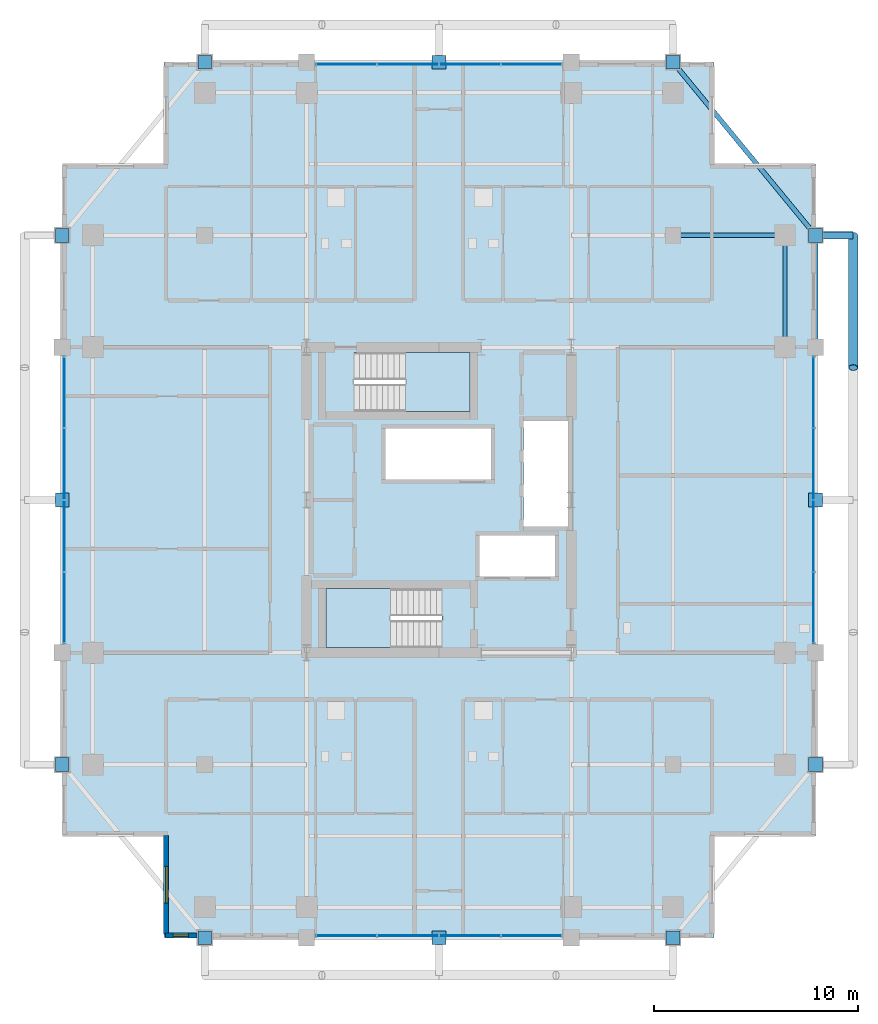
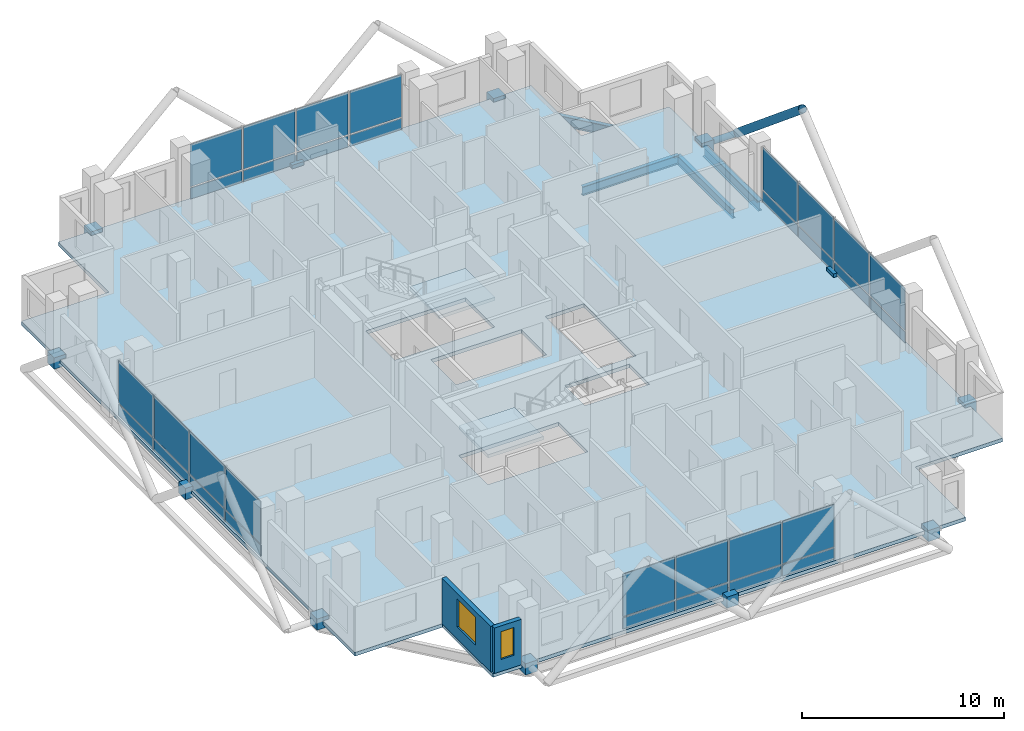
# One storey, part 19 of 26: 44 plates, 4 beams, 3 slabs, 2 members, 2 walls, 2 windows, 2 openings, 6 elements without a shape of their own.
"""IFC4 building model written with IfcOpenShell, lengths in metres."""

from ifc_helpers import new_model, si_unit, direction, frame, frame_2d, origin, origin_2d, place, context, subcontext, project, spatial, polyline, rectangle, hollow_circle, i_section, outline, extrude, material, layer, layer_set, material_profile, profile_set, type_object, element, fill, aggregate, save


model = new_model("IFC4")

# Units and contexts
model_context = context("Model", 3, precision=1e-05, world=origin(), true_north=direction((0.0, 1.0)))
body_context = subcontext(model_context, "Body", "Model", "MODEL_VIEW")
ifc_project = project(units=[si_unit("LENGTHUNIT", "METRE"), si_unit("AREAUNIT", "SQUARE_METRE"), si_unit("VOLUMEUNIT", "CUBIC_METRE"), si_unit("PLANEANGLEUNIT", "RADIAN"), si_unit("MASSUNIT", "GRAM", prefix="KILO")], contexts=[model_context])

# Site, building, storey
site_placement = place(None, origin())
site = spatial("IfcSite", under=ifc_project, at=site_placement, CompositionType="ELEMENT")
building_placement = place(site_placement, origin())
building = spatial("IfcBuilding", under=site, at=building_placement, Name="Barlavira Tower and Art Museum", CompositionType="ELEMENT")
storey_placement = place(building_placement, frame((0.0, 0.0, 198.0)))
storey = spatial("IfcBuildingStorey", under=building, at=storey_placement, Name="L51", CompositionType="ELEMENT", Elevation=198.0)

# Members
ifc_material_1 = material(Name="Steel S355", Category="steel")
ifc_material_profile_1 = material_profile(ifc_material_1, hollow_circle(Radius=0.228515625, WallThickness=0.02001953125, at=origin_2d()), Name="CHS 457.0x20.0")
ifc_profile_set_1 = profile_set([ifc_material_profile_1], Name="Steel S355")
member_type_1 = type_object("IfcMemberType", Name="Pale-Metal Exoskeleton Diagrid Tube CHS 457x20 Steel S355", PredefinedType="BRACE", material=ifc_profile_set_1)
member_1_placement = place(storey_placement, frame((20.35009765625, 13.0, -0.1201171875), z_axis=(0.0, -0.76918185268, 0.639029950399), x_axis=(1.0, 0.0, 0.0)))
element("IfcMember", 1, at=member_1_placement, inside=storey, type_object=member_type_1, Name="L51 Exoskeleton Diagrid Tube E", PredefinedType="BRACE", context=body_context, shape_type="SweptSolid", body=[
    extrude(hollow_circle(Radius=0.228515625, WallThickness=0.02001953125, at=origin_2d()), origin(), (0.0, 0.0, 1.0), 8.450439453125),
])
ifc_material_profile_2 = material_profile(ifc_material_1, hollow_circle(Radius=0.177734375, WallThickness=0.01611328125, at=origin_2d()), Name="CHS 355.6x16.0")
ifc_profile_set_2 = profile_set([ifc_material_profile_2], Name="Steel S355")
member_type_2 = type_object("IfcMemberType", Name="Pale-Metal Exoskeleton Tie Strut CHS 356x16 Steel S355", PredefinedType="STRUT", material=ifc_profile_set_2)
member_2_placement = place(storey_placement, frame((20.35009765625, 13.0, -0.1201171875), z_axis=(-1.0, 0.0, 0.0), x_axis=(0.0, -1.0, 0.0)))
element("IfcMember", 2, at=member_2_placement, inside=storey, type_object=member_type_2, Name="L51 Exoskeleton Tie Strut E3", PredefinedType="STRUT", context=body_context, shape_type="SweptSolid", body=[
    extrude(hollow_circle(Radius=0.177734375, WallThickness=0.01611328125, at=origin_2d()), origin(), (0.0, 0.0, 1.0), 1.85009765625),
])

# Beams
ifc_material_profile_3 = material_profile(ifc_material_1, i_section(OverallWidth=0.22998046875, OverallDepth=0.616943359375, WebThickness=0.01318359375, FlangeThickness=0.022216796875, at=origin_2d()), Name="W610x140.0")
ifc_profile_set_3 = profile_set([ifc_material_profile_3], Name="Steel S355")
beam_type_1 = type_object("IfcBeamType", Name="Upper Shaft Spandrel Edge Beam W610x140 Steel S355", PredefinedType="SPANDREL", material=ifc_profile_set_3)
beam_1_placement = place(storey_placement, frame((18.5, 7.5, -0.528564453125), z_axis=(0.0, 1.0, 0.0), x_axis=(-1.0, 0.0, 0.0)))
element("IfcBeam", 3, at=beam_1_placement, inside=storey, type_object=beam_type_1, Name="L51 Spandrel 7", PredefinedType="SPANDREL", context=body_context, shape_type="SweptSolid", body=[
    extrude(i_section(OverallWidth=0.22998046875, OverallDepth=0.616943359375, WebThickness=0.01318359375, FlangeThickness=0.022216796875, at=origin_2d()), origin(), (0.0, 0.0, 1.0), 5.5),
])
beam_2_placement = place(storey_placement, frame((18.5, 13.0, -0.528564453125), z_axis=(-0.635707252861, 0.771930235617, 0.0), x_axis=(-0.771930235617, -0.635707252861, 0.0)))
element("IfcBeam", 4, at=beam_2_placement, inside=storey, type_object=beam_type_1, Name="L51 Spandrel 8", PredefinedType="SPANDREL", context=body_context, shape_type="SweptSolid", body=[
    extrude(i_section(OverallWidth=0.22998046875, OverallDepth=0.616943359375, WebThickness=0.01318359375, FlangeThickness=0.022216796875, at=origin_2d()), origin(), (0.0, 0.0, 1.0), 11.011474609375),
])
ifc_material_profile_4 = material_profile(ifc_material_1, i_section(OverallWidth=0.2109375, OverallDepth=0.5390625, WebThickness=0.01171875, FlangeThickness=0.018798828125, at=origin_2d()), Name="W530x109.0")
ifc_profile_set_4 = profile_set([ifc_material_profile_4], Name="Steel S355")
beam_type_2 = type_object("IfcBeamType", Name="Zone 3-4 Primary Floor Girder W530x109 Steel S355", PredefinedType="BEAM", material=ifc_profile_set_4)
for number, where, z_axis, x_axis, name in (
    (5, (17.0, 7.5, -0.489501953125), (0.0, 1.0, 0.0), (-1.0, 0.0, 0.0), "L51 Girder M-E3"),
    (6, (11.5, 13.0, -0.489501953125), (1.0, 0.0, 0.0), (0.0, 1.0, 0.0), "L51 Girder I-N4"),
):
    element("IfcBeam", number, at=place(storey_placement, frame(where, z_axis=z_axis, x_axis=x_axis)), inside=storey, type_object=beam_type_2, Name=name, PredefinedType="BEAM", context=body_context, shape_type="SweptSolid", body=[
        extrude(i_section(OverallWidth=0.2109375, OverallDepth=0.5390625, WebThickness=0.01171875, FlangeThickness=0.018798828125, at=origin_2d()), origin(), (0.0, 0.0, 1.0), 5.5),
    ])

# Curtain wall, plates
ifc_material_2 = material(Name="Low-iron coastal laminated glass", Category="glass")
ifc_layer_1 = layer(ifc_material_2, 0.199951171875, Name="Low-iron coastal laminated glass")
ifc_layer_set_1 = layer_set([ifc_layer_1], Name="Low-iron coastal laminated glass")
curtain_wall_type = type_object("IfcCurtainWallType", Name="Pale-Metal Unitised Curtain Wall Zone 3", PredefinedType="NOTDEFINED", material=ifc_layer_set_1)
curtain_wall_1_placement = place(storey_placement, origin())
curtain_wall_1 = element("IfcCurtainWall", 7, at=curtain_wall_1_placement, inside=storey, type_object=curtain_wall_type, Name="L51 Curtain Wall CW3-L51-S-B3", PredefinedType="NOTDEFINED")
ifc_material_3 = material(Name="Pale anodised aluminium", Category="aluminium")
ifc_layer_2 = layer(ifc_material_3, 0.044921875, Name="Pale anodised aluminium")
ifc_layer_set_2 = layer_set([ifc_layer_2], Name="Pale anodised aluminium")
plate_type_1 = type_object("IfcPlateType", Name="Curtain Wall Pale-Metal Spandrel Panel 45", PredefinedType="CURTAIN_PANEL", material=ifc_layer_set_2)
plate_1_placement = place(storey_placement, frame((-4.56005859375, -21.39990234375, 0.0400390625), z_axis=(0.0, 0.0, 1.0), x_axis=(1.0, 0.0, 0.0)))
plate_1 = element("IfcPlate", 8, at=plate_1_placement, type_object=plate_type_1, Name="CW3-L51-S-B3 Spandrel Panel 0", PredefinedType="CURTAIN_PANEL", context=body_context, shape_type="SweptSolid", body=[
    extrude(rectangle(XDim=2.93994140625, YDim=0.044921875, at=origin_2d()), origin(), (0.0, 0.0, 1.0), 0.6640625),
])
plate_2_placement = place(storey_placement, frame((-1.52001953125, -21.39990234375, 0.0400390625), z_axis=(0.0, 0.0, 1.0), x_axis=(1.0, 0.0, 0.0)))
plate_2 = element("IfcPlate", 9, at=plate_2_placement, type_object=plate_type_1, Name="CW3-L51-S-B3 Spandrel Panel 1", PredefinedType="CURTAIN_PANEL", context=body_context, shape_type="SweptSolid", body=[
    extrude(rectangle(XDim=2.93994140625, YDim=0.044921875, at=origin_2d()), origin(), (0.0, 0.0, 1.0), 0.6640625),
])
plate_3_placement = place(storey_placement, frame((1.52001953125, -21.39990234375, 0.0400390625), z_axis=(0.0, 0.0, 1.0), x_axis=(1.0, 0.0, 0.0)))
plate_3 = element("IfcPlate", 10, at=plate_3_placement, type_object=plate_type_1, Name="CW3-L51-S-B3 Spandrel Panel 2", PredefinedType="CURTAIN_PANEL", context=body_context, shape_type="SweptSolid", body=[
    extrude(rectangle(XDim=2.93994140625, YDim=0.044921875, at=origin_2d()), origin(), (0.0, 0.0, 1.0), 0.6640625),
])
plate_4_placement = place(storey_placement, frame((4.56005859375, -21.39990234375, 0.0400390625), z_axis=(0.0, 0.0, 1.0), x_axis=(1.0, 0.0, 0.0)))
plate_4 = element("IfcPlate", 11, at=plate_4_placement, type_object=plate_type_1, Name="CW3-L51-S-B3 Spandrel Panel 3", PredefinedType="CURTAIN_PANEL", context=body_context, shape_type="SweptSolid", body=[
    extrude(rectangle(XDim=2.93994140625, YDim=0.044921875, at=origin_2d()), origin(), (0.0, 0.0, 1.0), 0.6640625),
])

curtain_wall_2_placement = place(storey_placement, origin())
curtain_wall_2 = element("IfcCurtainWall", 12, at=curtain_wall_2_placement, inside=storey, type_object=curtain_wall_type, Name="L51 Curtain Wall CW3-L51-N-B3", PredefinedType="NOTDEFINED")
plate_5_placement = place(storey_placement, frame((4.56005859375, 21.39990234375, 0.0400390625), z_axis=(0.0, 0.0, 1.0), x_axis=(-1.0, 0.0, 0.0)))
plate_5 = element("IfcPlate", 13, at=plate_5_placement, type_object=plate_type_1, Name="CW3-L51-N-B3 Spandrel Panel 0", PredefinedType="CURTAIN_PANEL", context=body_context, shape_type="SweptSolid", body=[
    extrude(rectangle(XDim=2.93994140625, YDim=0.044921875, at=origin_2d()), origin(), (0.0, 0.0, 1.0), 0.6640625),
])
plate_6_placement = place(storey_placement, frame((1.52001953125, 21.39990234375, 0.0400390625), z_axis=(0.0, 0.0, 1.0), x_axis=(-1.0, 0.0, 0.0)))
plate_6 = element("IfcPlate", 14, at=plate_6_placement, type_object=plate_type_1, Name="CW3-L51-N-B3 Spandrel Panel 1", PredefinedType="CURTAIN_PANEL", context=body_context, shape_type="SweptSolid", body=[
    extrude(rectangle(XDim=2.93994140625, YDim=0.044921875, at=origin_2d()), origin(), (0.0, 0.0, 1.0), 0.6640625),
])
plate_7_placement = place(storey_placement, frame((-1.52001953125, 21.39990234375, 0.0400390625), z_axis=(0.0, 0.0, 1.0), x_axis=(-1.0, 0.0, 0.0)))
plate_7 = element("IfcPlate", 15, at=plate_7_placement, type_object=plate_type_1, Name="CW3-L51-N-B3 Spandrel Panel 2", PredefinedType="CURTAIN_PANEL", context=body_context, shape_type="SweptSolid", body=[
    extrude(rectangle(XDim=2.93994140625, YDim=0.044921875, at=origin_2d()), origin(), (0.0, 0.0, 1.0), 0.6640625),
])
plate_8_placement = place(storey_placement, frame((-4.56005859375, 21.39990234375, 0.0400390625), z_axis=(0.0, 0.0, 1.0), x_axis=(-1.0, 0.0, 0.0)))
plate_8 = element("IfcPlate", 16, at=plate_8_placement, type_object=plate_type_1, Name="CW3-L51-N-B3 Spandrel Panel 3", PredefinedType="CURTAIN_PANEL", context=body_context, shape_type="SweptSolid", body=[
    extrude(rectangle(XDim=2.93994140625, YDim=0.044921875, at=origin_2d()), origin(), (0.0, 0.0, 1.0), 0.6640625),
])

curtain_wall_3_placement = place(storey_placement, origin())
curtain_wall_3 = element("IfcCurtainWall", 17, at=curtain_wall_3_placement, inside=storey, type_object=curtain_wall_type, Name="L51 Curtain Wall CW3-L51-W-B3", PredefinedType="NOTDEFINED")
plate_9_placement = place(storey_placement, frame((-18.39990234375, 5.31005859375, 0.0400390625), z_axis=(0.0, 0.0, 1.0), x_axis=(0.0, -1.0, 0.0)))
plate_9 = element("IfcPlate", 18, at=plate_9_placement, type_object=plate_type_1, Name="CW3-L51-W-B3 Spandrel Panel 0", PredefinedType="CURTAIN_PANEL", context=body_context, shape_type="SweptSolid", body=[
    extrude(rectangle(XDim=3.43994140625, YDim=0.044921875, at=origin_2d()), origin(), (0.0, 0.0, 1.0), 0.6640625),
])
plate_10_placement = place(storey_placement, frame((-18.39990234375, 1.77001953125, 0.0400390625), z_axis=(0.0, 0.0, 1.0), x_axis=(0.0, -1.0, 0.0)))
plate_10 = element("IfcPlate", 19, at=plate_10_placement, type_object=plate_type_1, Name="CW3-L51-W-B3 Spandrel Panel 1", PredefinedType="CURTAIN_PANEL", context=body_context, shape_type="SweptSolid", body=[
    extrude(rectangle(XDim=3.43994140625, YDim=0.044921875, at=origin_2d()), origin(), (0.0, 0.0, 1.0), 0.6640625),
])
plate_11_placement = place(storey_placement, frame((-18.39990234375, -1.77001953125, 0.0400390625), z_axis=(0.0, 0.0, 1.0), x_axis=(0.0, -1.0, 0.0)))
plate_11 = element("IfcPlate", 20, at=plate_11_placement, type_object=plate_type_1, Name="CW3-L51-W-B3 Spandrel Panel 2", PredefinedType="CURTAIN_PANEL", context=body_context, shape_type="SweptSolid", body=[
    extrude(rectangle(XDim=3.43994140625, YDim=0.044921875, at=origin_2d()), origin(), (0.0, 0.0, 1.0), 0.6640625),
])
plate_12_placement = place(storey_placement, frame((-18.39990234375, -5.31005859375, 0.0400390625), z_axis=(0.0, 0.0, 1.0), x_axis=(0.0, -1.0, 0.0)))
plate_12 = element("IfcPlate", 21, at=plate_12_placement, type_object=plate_type_1, Name="CW3-L51-W-B3 Spandrel Panel 3", PredefinedType="CURTAIN_PANEL", context=body_context, shape_type="SweptSolid", body=[
    extrude(rectangle(XDim=3.43994140625, YDim=0.044921875, at=origin_2d()), origin(), (0.0, 0.0, 1.0), 0.6640625),
])

curtain_wall_4_placement = place(storey_placement, origin())
curtain_wall_4 = element("IfcCurtainWall", 22, at=curtain_wall_4_placement, inside=storey, type_object=curtain_wall_type, Name="L51 Curtain Wall CW3-L51-E-B3", PredefinedType="NOTDEFINED")
plate_13_placement = place(storey_placement, frame((18.39990234375, -5.31005859375, 0.0400390625), z_axis=(0.0, 0.0, 1.0), x_axis=(0.0, 1.0, 0.0)))
plate_13 = element("IfcPlate", 23, at=plate_13_placement, type_object=plate_type_1, Name="CW3-L51-E-B3 Spandrel Panel 0", PredefinedType="CURTAIN_PANEL", context=body_context, shape_type="SweptSolid", body=[
    extrude(rectangle(XDim=3.43994140625, YDim=0.044921875, at=origin_2d()), origin(), (0.0, 0.0, 1.0), 0.6640625),
])
plate_14_placement = place(storey_placement, frame((18.39990234375, -1.77001953125, 0.0400390625), z_axis=(0.0, 0.0, 1.0), x_axis=(0.0, 1.0, 0.0)))
plate_14 = element("IfcPlate", 24, at=plate_14_placement, type_object=plate_type_1, Name="CW3-L51-E-B3 Spandrel Panel 1", PredefinedType="CURTAIN_PANEL", context=body_context, shape_type="SweptSolid", body=[
    extrude(rectangle(XDim=3.43994140625, YDim=0.044921875, at=origin_2d()), origin(), (0.0, 0.0, 1.0), 0.6640625),
])
plate_15_placement = place(storey_placement, frame((18.39990234375, 1.77001953125, 0.0400390625), z_axis=(0.0, 0.0, 1.0), x_axis=(0.0, 1.0, 0.0)))
plate_15 = element("IfcPlate", 25, at=plate_15_placement, type_object=plate_type_1, Name="CW3-L51-E-B3 Spandrel Panel 2", PredefinedType="CURTAIN_PANEL", context=body_context, shape_type="SweptSolid", body=[
    extrude(rectangle(XDim=3.43994140625, YDim=0.044921875, at=origin_2d()), origin(), (0.0, 0.0, 1.0), 0.6640625),
])
plate_16_placement = place(storey_placement, frame((18.39990234375, 5.31005859375, 0.0400390625), z_axis=(0.0, 0.0, 1.0), x_axis=(0.0, 1.0, 0.0)))
plate_16 = element("IfcPlate", 26, at=plate_16_placement, type_object=plate_type_1, Name="CW3-L51-E-B3 Spandrel Panel 3", PredefinedType="CURTAIN_PANEL", context=body_context, shape_type="SweptSolid", body=[
    extrude(rectangle(XDim=3.43994140625, YDim=0.044921875, at=origin_2d()), origin(), (0.0, 0.0, 1.0), 0.6640625),
])

# Plate
ifc_layer_3 = layer(ifc_material_2, 0.028076171875, Name="Low-iron coastal laminated glass")
ifc_layer_set_3 = layer_set([ifc_layer_3], Name="Low-iron coastal laminated glass")
plate_type_2 = type_object("IfcPlateType", Name="Curtain Wall Vision Glazing Panel 28", PredefinedType="CURTAIN_PANEL", material=ifc_layer_set_3)
plate_17_placement = place(storey_placement, frame((-4.56005859375, -21.39990234375, 0.7841796875), z_axis=(0.0, 0.0, 1.0), x_axis=(1.0, 0.0, 0.0)))
plate_17 = element("IfcPlate", 27, at=plate_17_placement, type_object=plate_type_2, Name="CW3-L51-S-B3 Vision Glass Panel 0", PredefinedType="CURTAIN_PANEL", context=body_context, shape_type="SweptSolid", body=[
    extrude(rectangle(XDim=2.93994140625, YDim=0.028076171875, at=origin_2d()), origin(), (0.0, 0.0, 1.0), 2.555908203125),
])

plate_18_placement = place(storey_placement, frame((-1.52001953125, -21.39990234375, 0.7841796875), z_axis=(0.0, 0.0, 1.0), x_axis=(1.0, 0.0, 0.0)))
plate_18 = element("IfcPlate", 28, at=plate_18_placement, type_object=plate_type_2, Name="CW3-L51-S-B3 Vision Glass Panel 1", PredefinedType="CURTAIN_PANEL", context=body_context, shape_type="SweptSolid", body=[
    extrude(rectangle(XDim=2.93994140625, YDim=0.028076171875, at=origin_2d()), origin(), (0.0, 0.0, 1.0), 2.555908203125),
])

plate_19_placement = place(storey_placement, frame((1.52001953125, -21.39990234375, 0.7841796875), z_axis=(0.0, 0.0, 1.0), x_axis=(1.0, 0.0, 0.0)))
plate_19 = element("IfcPlate", 29, at=plate_19_placement, type_object=plate_type_2, Name="CW3-L51-S-B3 Vision Glass Panel 2", PredefinedType="CURTAIN_PANEL", context=body_context, shape_type="SweptSolid", body=[
    extrude(rectangle(XDim=2.93994140625, YDim=0.028076171875, at=origin_2d()), origin(), (0.0, 0.0, 1.0), 2.555908203125),
])

plate_20_placement = place(storey_placement, frame((4.56005859375, -21.39990234375, 0.7841796875), z_axis=(0.0, 0.0, 1.0), x_axis=(1.0, 0.0, 0.0)))
plate_20 = element("IfcPlate", 30, at=plate_20_placement, type_object=plate_type_2, Name="CW3-L51-S-B3 Vision Glass Panel 3", PredefinedType="CURTAIN_PANEL", context=body_context, shape_type="SweptSolid", body=[
    extrude(rectangle(XDim=2.93994140625, YDim=0.028076171875, at=origin_2d()), origin(), (0.0, 0.0, 1.0), 2.555908203125),
])

aggregate(curtain_wall_1, [plate_1, plate_17, plate_2, plate_18, plate_3, plate_19, plate_4, plate_20])

plate_21_placement = place(storey_placement, frame((4.56005859375, 21.39990234375, 0.7841796875), z_axis=(0.0, 0.0, 1.0), x_axis=(-1.0, 0.0, 0.0)))
plate_21 = element("IfcPlate", 31, at=plate_21_placement, type_object=plate_type_2, Name="CW3-L51-N-B3 Vision Glass Panel 0", PredefinedType="CURTAIN_PANEL", context=body_context, shape_type="SweptSolid", body=[
    extrude(rectangle(XDim=2.93994140625, YDim=0.028076171875, at=origin_2d()), origin(), (0.0, 0.0, 1.0), 2.555908203125),
])

plate_22_placement = place(storey_placement, frame((1.52001953125, 21.39990234375, 0.7841796875), z_axis=(0.0, 0.0, 1.0), x_axis=(-1.0, 0.0, 0.0)))
plate_22 = element("IfcPlate", 32, at=plate_22_placement, type_object=plate_type_2, Name="CW3-L51-N-B3 Vision Glass Panel 1", PredefinedType="CURTAIN_PANEL", context=body_context, shape_type="SweptSolid", body=[
    extrude(rectangle(XDim=2.93994140625, YDim=0.028076171875, at=origin_2d()), origin(), (0.0, 0.0, 1.0), 2.555908203125),
])

plate_23_placement = place(storey_placement, frame((-1.52001953125, 21.39990234375, 0.7841796875), z_axis=(0.0, 0.0, 1.0), x_axis=(-1.0, 0.0, 0.0)))
plate_23 = element("IfcPlate", 33, at=plate_23_placement, type_object=plate_type_2, Name="CW3-L51-N-B3 Vision Glass Panel 2", PredefinedType="CURTAIN_PANEL", context=body_context, shape_type="SweptSolid", body=[
    extrude(rectangle(XDim=2.93994140625, YDim=0.028076171875, at=origin_2d()), origin(), (0.0, 0.0, 1.0), 2.555908203125),
])

plate_24_placement = place(storey_placement, frame((-4.56005859375, 21.39990234375, 0.7841796875), z_axis=(0.0, 0.0, 1.0), x_axis=(-1.0, 0.0, 0.0)))
plate_24 = element("IfcPlate", 34, at=plate_24_placement, type_object=plate_type_2, Name="CW3-L51-N-B3 Vision Glass Panel 3", PredefinedType="CURTAIN_PANEL", context=body_context, shape_type="SweptSolid", body=[
    extrude(rectangle(XDim=2.93994140625, YDim=0.028076171875, at=origin_2d()), origin(), (0.0, 0.0, 1.0), 2.555908203125),
])

aggregate(curtain_wall_2, [plate_5, plate_21, plate_6, plate_22, plate_7, plate_23, plate_8, plate_24])

plate_25_placement = place(storey_placement, frame((-18.39990234375, 5.31005859375, 0.7841796875), z_axis=(0.0, 0.0, 1.0), x_axis=(0.0, -1.0, 0.0)))
plate_25 = element("IfcPlate", 35, at=plate_25_placement, type_object=plate_type_2, Name="CW3-L51-W-B3 Vision Glass Panel 0", PredefinedType="CURTAIN_PANEL", context=body_context, shape_type="SweptSolid", body=[
    extrude(rectangle(XDim=3.43994140625, YDim=0.028076171875, at=origin_2d()), origin(), (0.0, 0.0, 1.0), 2.555908203125),
])

plate_26_placement = place(storey_placement, frame((-18.39990234375, 1.77001953125, 0.7841796875), z_axis=(0.0, 0.0, 1.0), x_axis=(0.0, -1.0, 0.0)))
plate_26 = element("IfcPlate", 36, at=plate_26_placement, type_object=plate_type_2, Name="CW3-L51-W-B3 Vision Glass Panel 1", PredefinedType="CURTAIN_PANEL", context=body_context, shape_type="SweptSolid", body=[
    extrude(rectangle(XDim=3.43994140625, YDim=0.028076171875, at=origin_2d()), origin(), (0.0, 0.0, 1.0), 2.555908203125),
])

plate_27_placement = place(storey_placement, frame((-18.39990234375, -1.77001953125, 0.7841796875), z_axis=(0.0, 0.0, 1.0), x_axis=(0.0, -1.0, 0.0)))
plate_27 = element("IfcPlate", 37, at=plate_27_placement, type_object=plate_type_2, Name="CW3-L51-W-B3 Vision Glass Panel 2", PredefinedType="CURTAIN_PANEL", context=body_context, shape_type="SweptSolid", body=[
    extrude(rectangle(XDim=3.43994140625, YDim=0.028076171875, at=origin_2d()), origin(), (0.0, 0.0, 1.0), 2.555908203125),
])

plate_28_placement = place(storey_placement, frame((-18.39990234375, -5.31005859375, 0.7841796875), z_axis=(0.0, 0.0, 1.0), x_axis=(0.0, -1.0, 0.0)))
plate_28 = element("IfcPlate", 38, at=plate_28_placement, type_object=plate_type_2, Name="CW3-L51-W-B3 Vision Glass Panel 3", PredefinedType="CURTAIN_PANEL", context=body_context, shape_type="SweptSolid", body=[
    extrude(rectangle(XDim=3.43994140625, YDim=0.028076171875, at=origin_2d()), origin(), (0.0, 0.0, 1.0), 2.555908203125),
])

aggregate(curtain_wall_3, [plate_9, plate_25, plate_10, plate_26, plate_11, plate_27, plate_12, plate_28])

plate_29_placement = place(storey_placement, frame((18.39990234375, -5.31005859375, 0.7841796875), z_axis=(0.0, 0.0, 1.0), x_axis=(0.0, 1.0, 0.0)))
plate_29 = element("IfcPlate", 39, at=plate_29_placement, type_object=plate_type_2, Name="CW3-L51-E-B3 Vision Glass Panel 0", PredefinedType="CURTAIN_PANEL", context=body_context, shape_type="SweptSolid", body=[
    extrude(rectangle(XDim=3.43994140625, YDim=0.028076171875, at=origin_2d()), origin(), (0.0, 0.0, 1.0), 2.555908203125),
])

plate_30_placement = place(storey_placement, frame((18.39990234375, -1.77001953125, 0.7841796875), z_axis=(0.0, 0.0, 1.0), x_axis=(0.0, 1.0, 0.0)))
plate_30 = element("IfcPlate", 40, at=plate_30_placement, type_object=plate_type_2, Name="CW3-L51-E-B3 Vision Glass Panel 1", PredefinedType="CURTAIN_PANEL", context=body_context, shape_type="SweptSolid", body=[
    extrude(rectangle(XDim=3.43994140625, YDim=0.028076171875, at=origin_2d()), origin(), (0.0, 0.0, 1.0), 2.555908203125),
])

plate_31_placement = place(storey_placement, frame((18.39990234375, 1.77001953125, 0.7841796875), z_axis=(0.0, 0.0, 1.0), x_axis=(0.0, 1.0, 0.0)))
plate_31 = element("IfcPlate", 41, at=plate_31_placement, type_object=plate_type_2, Name="CW3-L51-E-B3 Vision Glass Panel 2", PredefinedType="CURTAIN_PANEL", context=body_context, shape_type="SweptSolid", body=[
    extrude(rectangle(XDim=3.43994140625, YDim=0.028076171875, at=origin_2d()), origin(), (0.0, 0.0, 1.0), 2.555908203125),
])

plate_32_placement = place(storey_placement, frame((18.39990234375, 5.31005859375, 0.7841796875), z_axis=(0.0, 0.0, 1.0), x_axis=(0.0, 1.0, 0.0)))
plate_32 = element("IfcPlate", 42, at=plate_32_placement, type_object=plate_type_2, Name="CW3-L51-E-B3 Vision Glass Panel 3", PredefinedType="CURTAIN_PANEL", context=body_context, shape_type="SweptSolid", body=[
    extrude(rectangle(XDim=3.43994140625, YDim=0.028076171875, at=origin_2d()), origin(), (0.0, 0.0, 1.0), 2.555908203125),
])

aggregate(curtain_wall_4, [plate_13, plate_29, plate_14, plate_30, plate_15, plate_31, plate_16, plate_32])

# Plates
ifc_layer_4 = layer(ifc_material_1, 0.679931640625, Name="Steel S355")
ifc_layer_set_4 = layer_set([ifc_layer_4], Name="Steel S355")
plate_type_3 = type_object("IfcPlateType", Name="Exoskeleton Tie-Back Solid Cap Plate Assembly Type 5 Steel S355", PredefinedType="USERDEFINED", material=ifc_layer_set_4)
for number, where, z_axis, x_axis, name in (
    (43, (-11.5, -21.5, -0.4599609375), (0.0, 0.0, 1.0), (1.0, 0.0, 0.0), "Slab Edge Tie Cap Plate S1 ND-L51-0554"),
    (44, (0.0, -21.5, -0.4599609375), (0.0, 0.0, 1.0), (1.0, 0.0, 0.0), "Slab Edge Tie Cap Plate S2 ND-L51-0555"),
    (45, (11.5, -21.5, -0.4599609375), (0.0, 0.0, 1.0), (1.0, 0.0, 0.0), "Slab Edge Tie Cap Plate S3 ND-L51-0556"),
    (46, (-11.5, 21.5, -0.4599609375), (0.0, 0.0, 1.0), (1.0, 0.0, 0.0), "Slab Edge Tie Cap Plate N1 ND-L51-0562"),
    (47, (0.0, 21.5, -0.4599609375), (0.0, 0.0, 1.0), (1.0, 0.0, 0.0), "Slab Edge Tie Cap Plate N2 ND-L51-0563"),
    (48, (11.5, 21.5, -0.4599609375), (0.0, 0.0, 1.0), (1.0, 0.0, 0.0), "Slab Edge Tie Cap Plate N3 ND-L51-0564"),
    (49, (-18.5, -13.0, -0.4599609375), (0.0, 0.0, 1.0), (1.0, 0.0, 0.0), "Slab Edge Tie Cap Plate W1 ND-L51-0570"),
    (50, (-18.5, 0.0, -0.4599609375), (0.0, 0.0, 1.0), (1.0, 0.0, 0.0), "Slab Edge Tie Cap Plate W2 ND-L51-0571"),
    (51, (-18.5, 13.0, -0.4599609375), (0.0, 0.0, 1.0), (1.0, 0.0, 0.0), "Slab Edge Tie Cap Plate W3 ND-L51-0572"),
    (52, (18.5, -13.0, -0.4599609375), (0.0, 0.0, 1.0), (1.0, 0.0, 0.0), "Slab Edge Tie Cap Plate E1 ND-L51-0578"),
    (53, (18.5, 0.0, -0.4599609375), (0.0, 0.0, 1.0), (1.0, 0.0, 0.0), "Slab Edge Tie Cap Plate E2 ND-L51-0579"),
    (54, (18.5, 13.0, -0.4599609375), (0.0, 0.0, 1.0), (1.0, 0.0, 0.0), "Slab Edge Tie Cap Plate E3 ND-L51-0580"),
):
    element("IfcPlate", number, at=place(storey_placement, frame(where, z_axis=z_axis, x_axis=x_axis)), inside=storey, type_object=plate_type_3, Name=name, ObjectType="FLANGE_PLATE", PredefinedType="USERDEFINED", context=body_context, shape_type="SweptSolid", body=[
        extrude(rectangle(XDim=0.679931640625, YDim=0.679931640625, at=origin_2d()), origin(), (0.0, 0.0, 1.0), 0.679931640625),
    ])

# Stair, slab
ifc_material_4 = material(Name="Concrete C45", Category="concrete")
stair_type_1 = type_object("IfcStairType", Name="Tower North Dog-Leg Exit Stair Assembly Concrete C45", PredefinedType="TWO_QUARTER_TURN_STAIR", material=ifc_material_4)
stair_1_placement = place(storey_placement, origin())
stair_1 = element("IfcStair", 55, at=stair_1_placement, inside=storey, type_object=stair_type_1, Name="L51 Tower North Exit Stair ST-T2", PredefinedType="TWO_QUARTER_TURN_STAIR")
ifc_layer_5 = layer(ifc_material_4, 0.199951171875, Name="Concrete C45")
ifc_layer_set_5 = layer_set([ifc_layer_5], Name="Concrete C45")
slab_type_1 = type_object("IfcSlabType", Name="Tower North Dog-Leg Exit Stair Half-Landing Slab 200 Concrete C45", PredefinedType="LANDING", material=ifc_layer_set_5)
slab_1_placement = place(storey_placement, frame((0.0, 0.0, 1.60009765625)))
slab_1 = element("IfcSlab", 56, at=slab_1_placement, type_object=slab_type_1, Name="ST-T2 landing 1", PredefinedType="LANDING", context=body_context, shape_type="SweptSolid", body=[
    extrude(outline(polyline([(-1.64990234375, 4.35009765625), (1.530029296875, 4.35009765625), (1.530029296875, 7.25), (-1.64990234375, 7.25), (-1.64990234375, 4.35009765625)])), origin(), (0.0, 0.0, 1.0), 0.199951171875),
])
aggregate(stair_1, [slab_1])

stair_type_2 = type_object("IfcStairType", Name="Tower South Dog-Leg Exit Stair Assembly Concrete C45", PredefinedType="TWO_QUARTER_TURN_STAIR", material=ifc_material_4)
stair_2_placement = place(storey_placement, origin())
stair_2 = element("IfcStair", 57, at=stair_2_placement, inside=storey, type_object=stair_type_2, Name="L51 Tower South Exit Stair ST-T1", PredefinedType="TWO_QUARTER_TURN_STAIR")
ifc_layer_6 = layer(ifc_material_4, 0.199951171875, Name="Concrete C45")
ifc_layer_set_6 = layer_set([ifc_layer_6], Name="Concrete C45")
slab_type_2 = type_object("IfcSlabType", Name="Tower South Dog-Leg Exit Stair Half-Landing Slab 200 Concrete C45", PredefinedType="LANDING", material=ifc_layer_set_6)
slab_2_placement = place(storey_placement, frame((0.0, 0.0, 1.60009765625)))
slab_2 = element("IfcSlab", 58, at=slab_2_placement, type_object=slab_type_2, Name="ST-T1 landing 1", PredefinedType="LANDING", context=body_context, shape_type="SweptSolid", body=[
    extrude(outline(polyline([(-2.3701171875, -4.35009765625), (-5.550048828125, -4.35009765625), (-5.550048828125, -7.25), (-2.3701171875, -7.25), (-2.3701171875, -4.35009765625)])), origin(), (0.0, 0.0, 1.0), 0.199951171875),
])
aggregate(stair_2, [slab_2])

# Slab
ifc_material_5 = material(Name="Concrete C50", Category="concrete")
ifc_layer_7 = layer(ifc_material_5, 0.199951171875, Name="Concrete C50")
ifc_layer_set_7 = layer_set([ifc_layer_7], Name="Concrete C50")
slab_type_3 = type_object("IfcSlabType", Name="Zone 3 Residential Composite Slab 200 Concrete C50", PredefinedType="FLOOR", material=ifc_layer_set_7)
slab_3_placement = place(storey_placement, frame((0.0, 0.0, -0.219970703125)))
element("IfcSlab", 59, at=slab_3_placement, inside=storey, type_object=slab_type_3, Name="L51 Tower Floor Slab", PredefinedType="FLOOR", context=body_context, shape_type="SweptSolid", body=[
    extrude(outline(polyline([(-13.5, -21.5), (13.5, -21.5), (13.5, -16.5), (18.5, -16.5), (18.5, 16.5), (13.5, 16.5), (13.5, 21.5), (-13.5, 21.5), (-13.5, 16.5), (-18.5, 16.5), (-18.5, -16.5), (-13.5, -16.5), (-13.5, -21.5)]), holes=[polyline([(0.14990234375, -4.35009765625), (-5.550048828125, -4.35009765625), (-5.550048828125, -7.25), (0.14990234375, -7.25), (0.14990234375, -4.35009765625)]), polyline([(-4.169921875, 4.35009765625), (1.530029296875, 4.35009765625), (1.530029296875, 7.25), (-4.169921875, 7.25), (-4.169921875, 4.35009765625)]), polyline([(4.14990234375, -1.2900390625), (6.35009765625, -1.2900390625), (6.35009765625, 3.889892578125), (4.14990234375, 3.889892578125), (4.14990234375, -1.2900390625)]), polyline([(-2.6201171875, 1.0), (2.56005859375, 1.0), (2.56005859375, 3.5), (-2.6201171875, 3.5), (-2.6201171875, 1.0)]), polyline([(2.0, -3.75), (5.699951171875, -3.75), (5.699951171875, -1.75), (2.0, -1.75), (2.0, -3.75)])]), origin(), (0.0, 0.0, 1.0), 0.219970703125),
])

# Wall, opening, window
ifc_material_6 = material(Name="Precast concrete C40", Category="concrete")
ifc_layer_8 = layer(ifc_material_6, 0.25, Name="Precast concrete C40")
ifc_layer_set_8 = layer_set([ifc_layer_8], Name="Precast concrete C40")
wall_type = type_object("IfcWallType", Name="Notched Corner Spandrel Wall 250 Precast Concrete C40", PredefinedType="SOLIDWALL", material=ifc_layer_set_8)
wall_1_placement = place(storey_placement, frame((-13.425048828125, -21.39990234375, 0.0), z_axis=(0.0, 0.0, 1.0), x_axis=(1.0, 0.0, 0.0)))
wall_1 = element("IfcWall", 60, at=wall_1_placement, inside=storey, type_object=wall_type, Name="L51 Coastal Facade Pier Wall CW3-L51-S-1", PredefinedType="SOLIDWALL", context=body_context, shape_type="SweptSolid", body=[
    extrude(rectangle(XDim=1.530029296875, YDim=0.25, at=frame_2d((0.76513671875, 0.0))), origin(), (0.0, 0.0, 1.0), 2.748046875),
])
opening_1_placement = place(wall_1_placement, frame((0.363037109375, 0.0, 0.719970703125)))
opening_1 = element("IfcOpeningElement", 61, at=opening_1_placement, cuts=wall_1, Name="Opening WN-06", PredefinedType="OPENING", context=body_context, shape_type="SweptSolid", body=[
    extrude(rectangle(XDim=0.760009765625, YDim=1.679931640625, at=frame_2d((0.3798828125, 0.83984375))), frame((0.0, 0.135009765625, 0.0), z_axis=(0.0, -1.0, 0.0), x_axis=(1.0, 0.0, 0.0)), (0.0, 0.0, 1.0), 0.27001953125),
])
window_type_1 = type_object("IfcWindowType", Name="Recessed Narrow Pier Window 760x1680", PartitioningType="SINGLE_PANEL", PredefinedType="WINDOW", material=ifc_material_2)
window_1_placement = place(opening_1_placement, origin())
window_1 = element("IfcWindow", 62, at=window_1_placement, inside=storey, type_object=window_type_1, Name="L51 Punched Facade Window EWP-CW3-L51-S-1-1", OverallHeight=1.679931640625, OverallWidth=0.760009765625, PartitioningType="SINGLE_PANEL", PredefinedType="WINDOW", context=body_context, shape_type="SweptSolid", body=[
    extrude(rectangle(XDim=0.760009765625, YDim=1.679931640625, at=frame_2d((0.3798828125, 0.83984375))), frame((0.0, 0.030029296875, 0.0), z_axis=(0.0, -1.0, 0.0), x_axis=(1.0, 0.0, 0.0)), (0.0, 0.0, 1.0), 0.06005859375),
])
fill(opening_1, window_1)

wall_2_placement = place(storey_placement, frame((-13.39990234375, -16.47998046875, 0.0), z_axis=(0.0, 0.0, 1.0), x_axis=(0.0, -1.0, 0.0)))
wall_2 = element("IfcWall", 63, at=wall_2_placement, inside=storey, type_object=wall_type, Name="L51 Notch Corner Wall SW2", PredefinedType="SOLIDWALL", context=body_context, shape_type="SweptSolid", body=[
    extrude(rectangle(XDim=4.840087890625, YDim=0.25, at=frame_2d((2.419921875, 0.0))), origin(), (0.0, 0.0, 1.0), 2.748046875),
])
opening_2_placement = place(wall_2_placement, frame((1.52001953125, 0.0, 0.719970703125)))
opening_2 = element("IfcOpeningElement", 64, at=opening_2_placement, cuts=wall_2, Name="Opening WN-01", PredefinedType="OPENING", context=body_context, shape_type="SweptSolid", body=[
    extrude(rectangle(XDim=1.800048828125, YDim=1.679931640625, at=frame_2d((0.89990234375, 0.83984375))), frame((0.0, 0.135009765625, 0.0), z_axis=(0.0, -1.0, 0.0), x_axis=(1.0, 0.0, 0.0)), (0.0, 0.0, 1.0), 0.27001953125),
])
window_type_2 = type_object("IfcWindowType", Name="Recessed Notch Corner Punch Window 1800x1680", PartitioningType="SINGLE_PANEL", PredefinedType="WINDOW", material=ifc_material_2)
window_2_placement = place(opening_2_placement, origin())
window_2 = element("IfcWindow", 65, at=window_2_placement, inside=storey, type_object=window_type_2, Name="L51 Punched Facade Window EW-NTC-L51-SW2-1", OverallHeight=1.679931640625, OverallWidth=1.800048828125, PartitioningType="SINGLE_PANEL", PredefinedType="WINDOW", context=body_context, shape_type="SweptSolid", body=[
    extrude(rectangle(XDim=1.800048828125, YDim=1.679931640625, at=frame_2d((0.89990234375, 0.83984375))), frame((0.0, 0.030029296875, 0.0), z_axis=(0.0, -1.0, 0.0), x_axis=(1.0, 0.0, 0.0)), (0.0, 0.0, 1.0), 0.06005859375),
])
fill(opening_2, window_2)

save(model, "model.ifc")
